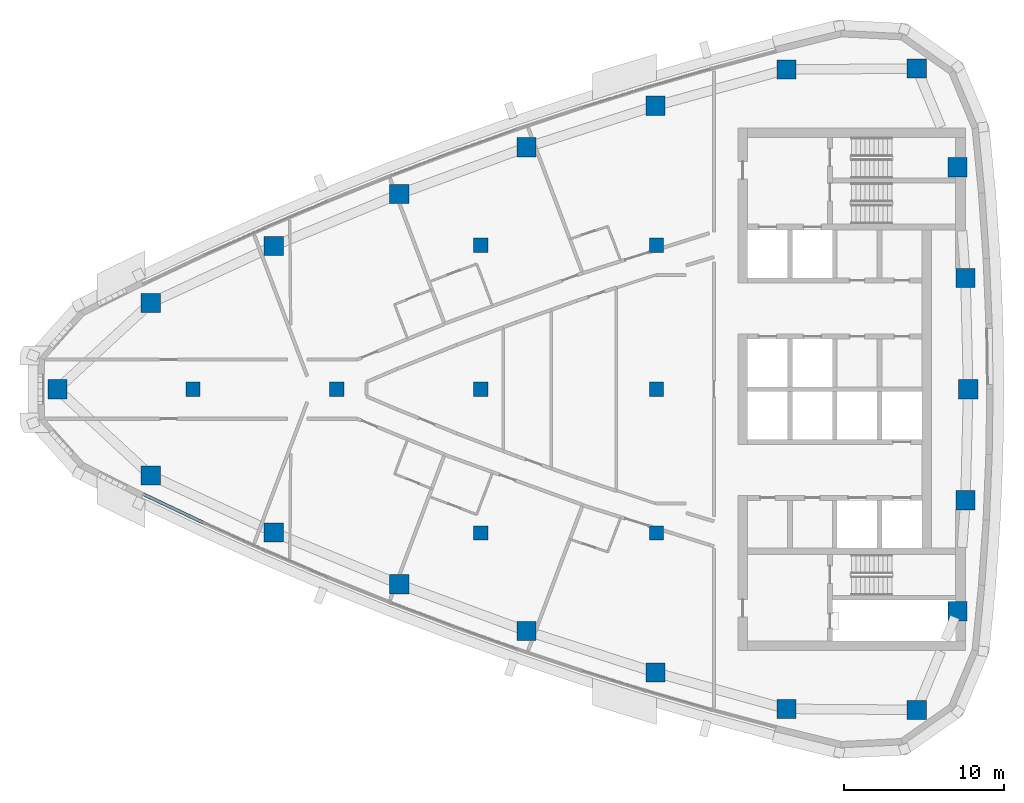
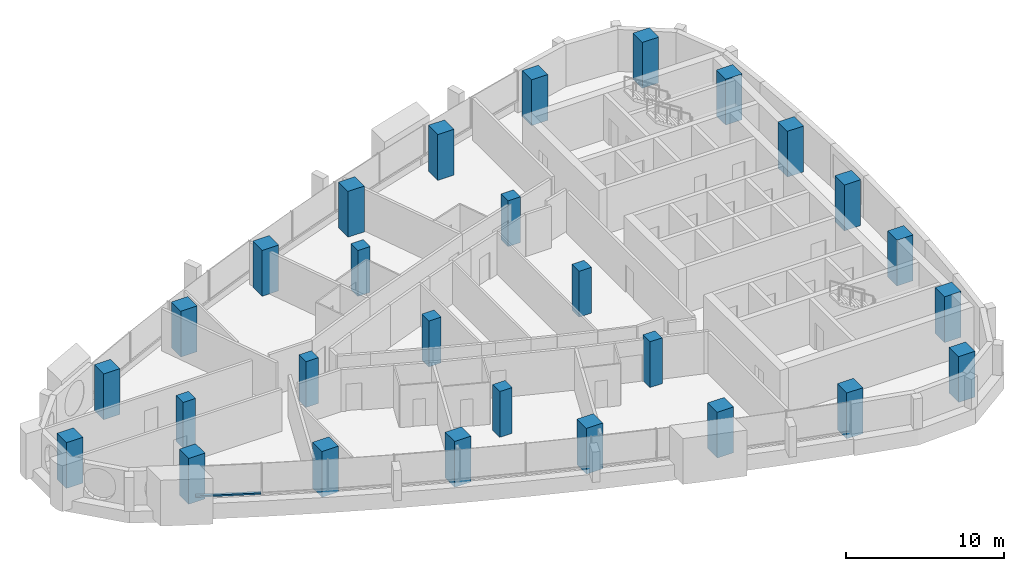
# One storey, part 1 of 15: 28 columns, 1 member, 1 element without a shape of its own.
"""IFC4 building model written with IfcOpenShell, lengths in metres."""

from ifc_helpers import new_model, si_unit, direction, frame, origin, origin_2d, place, context, subcontext, project, spatial, rectangle, extrude, material, layer, layer_set, material_profile, profile_set, type_object, element, aggregate, save


model = new_model("IFC4")

# Units and contexts
model_context = context("Model", 3, precision=1e-05, world=origin(), true_north=direction((0.0, 1.0)))
body_context = subcontext(model_context, "Body", "Model", "MODEL_VIEW")
ifc_project = project(units=[si_unit("LENGTHUNIT", "METRE"), si_unit("AREAUNIT", "SQUARE_METRE"), si_unit("VOLUMEUNIT", "CUBIC_METRE"), si_unit("PLANEANGLEUNIT", "RADIAN"), si_unit("MASSUNIT", "GRAM", prefix="KILO")], contexts=[model_context])

# Site, building, storey
site_placement = place(None, origin())
site = spatial("IfcSite", under=ifc_project, at=site_placement, CompositionType="ELEMENT")
building_placement = place(site_placement, origin())
building = spatial("IfcBuilding", under=site, at=building_placement, Name="Ostrand Prow Hotel Tower", CompositionType="ELEMENT")
storey_placement = place(building_placement, frame((0.0, 0.0, 242.10009765625)))
storey = spatial("IfcBuildingStorey", under=building, at=storey_placement, Name="L61", CompositionType="ELEMENT", Elevation=242.10009765625)

# Columns
ifc_material_1 = material(Name="Concrete C50/60", Category="concrete")
ifc_material_profile_1 = material_profile(ifc_material_1, rectangle(XDim=0.89990234375, YDim=0.89990234375, at=origin_2d()), Name="RC 900x900")
ifc_profile_set_1 = profile_set([ifc_material_profile_1], Name="Concrete C50/60")
column_type_1 = type_object("IfcColumnType", Name="Interior column 900x900 C50/60", PredefinedType="COLUMN", material=ifc_profile_set_1)
for number, where, z_axis, x_axis, name in (
    (1, (16.0, 0.0, 0.0), (0.0, 0.0, 1.0), (1.0, 0.0, 0.0), "Interior column 16C0"),
    (2, (25.0, 0.0, 0.0), (0.0, 0.0, 1.0), (1.0, 0.0, 0.0), "Interior column 25C0"),
    (3, (34.0, -9.0, 0.0), (0.0, 0.0, 1.0), (1.0, 0.0, 0.0), "Interior column 34S9"),
    (4, (34.0, 0.0, 0.0), (0.0, 0.0, 1.0), (1.0, 0.0, 0.0), "Interior column 34C0"),
    (5, (34.0, 9.0, 0.0), (0.0, 0.0, 1.0), (1.0, 0.0, 0.0), "Interior column 34N9"),
    (6, (45.0, -9.0, 0.0), (0.0, 0.0, 1.0), (1.0, 0.0, 0.0), "Interior column 45S9"),
    (7, (45.0, 0.0, 0.0), (0.0, 0.0, 1.0), (1.0, 0.0, 0.0), "Interior column 45C0"),
    (8, (45.0, 9.0, 0.0), (0.0, 0.0, 1.0), (1.0, 0.0, 0.0), "Interior column 45N9"),
):
    element("IfcColumn", number, at=place(storey_placement, frame(where, z_axis=z_axis, x_axis=x_axis)), inside=storey, type_object=column_type_1, Name=name, PredefinedType="COLUMN", context=body_context, shape_type="SweptSolid", body=[
        extrude(rectangle(XDim=0.89990234375, YDim=0.89990234375, at=origin_2d()), origin(), (0.0, 0.0, 1.0), 3.5498046875),
    ])
ifc_material_2 = material(Name="Concrete C50/60", Category="concrete")
ifc_material_profile_2 = material_profile(ifc_material_2, rectangle(XDim=1.199951171875, YDim=1.199951171875, at=origin_2d()), Name="RC 1200x1200")
ifc_profile_set_2 = profile_set([ifc_material_profile_2], Name="Concrete C50/60")
column_type_2 = type_object("IfcColumnType", Name="Stone-faced mega column 1200x1200 C50/60", PredefinedType="COLUMN", material=ifc_profile_set_2)
for number, where, z_axis, x_axis, name in (
    (9, (7.513916015625, 0.0, 0.0), (0.0, 0.0, 1.0), (1.0, 0.0, 0.0), "Mega column P"),
    (10, (13.356201171875, -5.392822265625, 0.0), (0.0, 0.0, 1.0), (1.0, 0.0, 0.0), "Mega column S1"),
    (11, (21.05859375, -8.95751953125, 0.0), (0.0, 0.0, 1.0), (1.0, 0.0, 0.0), "Mega column S2"),
    (12, (28.900146484375, -12.205322265625, 0.0), (0.0, 0.0, 1.0), (1.0, 0.0, 0.0), "Mega column S3"),
    (13, (36.8671875, -15.131591796875, 0.0), (0.0, 0.0, 1.0), (1.0, 0.0, 0.0), "Mega column S4"),
    (14, (44.94677734375, -17.731201171875, 0.0), (0.0, 0.0, 1.0), (1.0, 0.0, 0.0), "Mega column S5"),
    (15, (53.12548828125, -19.99951171875, 0.0), (0.0, 0.0, 1.0), (1.0, 0.0, 0.0), "Mega column S6"),
    (16, (61.283935546875, -20.06201171875, 0.0), (0.0, 0.0, 1.0), (1.0, 0.0, 0.0), "Mega column SE"),
    (17, (63.826416015625, -13.887939453125, 0.0), (0.0, 0.0, 1.0), (1.0, 0.0, 0.0), "Mega column B1"),
    (18, (64.33154296875, -6.9521484375, 0.0), (0.0, 0.0, 1.0), (1.0, 0.0, 0.0), "Mega column B2"),
    (19, (64.5, 0.0, 0.0), (0.0, 0.0, 1.0), (1.0, 0.0, 0.0), "Mega column B3"),
    (20, (64.33154296875, 6.9521484375, 0.0), (0.0, 0.0, 1.0), (1.0, 0.0, 0.0), "Mega column B4"),
    (21, (63.826416015625, 13.887939453125, 0.0), (0.0, 0.0, 1.0), (1.0, 0.0, 0.0), "Mega column B5"),
    (22, (61.283935546875, 20.06201171875, 0.0), (0.0, 0.0, 1.0), (1.0, 0.0, 0.0), "Mega column NE"),
    (23, (53.12548828125, 19.99951171875, 0.0), (0.0, 0.0, 1.0), (1.0, 0.0, 0.0), "Mega column N1"),
    (24, (44.94677734375, 17.731201171875, 0.0), (0.0, 0.0, 1.0), (1.0, 0.0, 0.0), "Mega column N2"),
    (25, (36.8671875, 15.131591796875, 0.0), (0.0, 0.0, 1.0), (1.0, 0.0, 0.0), "Mega column N3"),
    (26, (28.900146484375, 12.205322265625, 0.0), (0.0, 0.0, 1.0), (1.0, 0.0, 0.0), "Mega column N4"),
    (27, (21.05859375, 8.95751953125, 0.0), (0.0, 0.0, 1.0), (1.0, 0.0, 0.0), "Mega column N5"),
    (28, (13.356201171875, 5.392822265625, 0.0), (0.0, 0.0, 1.0), (1.0, 0.0, 0.0), "Mega column N6"),
):
    element("IfcColumn", number, at=place(storey_placement, frame(where, z_axis=z_axis, x_axis=x_axis)), inside=storey, type_object=column_type_2, Name=name, PredefinedType="COLUMN", context=body_context, shape_type="SweptSolid", body=[
        extrude(rectangle(XDim=1.199951171875, YDim=1.199951171875, at=origin_2d()), origin(), (0.0, 0.0, 1.0), 3.5498046875),
    ])

# Curtain wall, member
ifc_material_3 = material(Name="Insulated glass in bronze anodised frame", Category="glass")
ifc_layer = layer(ifc_material_3, 0.199951171875)
ifc_layer_set = layer_set([ifc_layer], Name="Insulated glass in bronze anodised frame")
curtain_wall_type = type_object("IfcCurtainWallType", Name="Strip curtain wall, fritted glass over bronze spandrel", PredefinedType="NOTDEFINED", material=ifc_layer_set)
curtain_wall_placement = place(storey_placement, origin())
curtain_wall = element("IfcCurtainWall", 29, at=curtain_wall_placement, inside=storey, type_object=curtain_wall_type, Name="CW1 run CWS1", PredefinedType="NOTDEFINED")
ifc_material_4 = material(Name="Bronze anodised aluminium", Category="aluminium")
ifc_material_profile_3 = material_profile(ifc_material_4, rectangle(XDim=0.199951171875, YDim=0.1201171875, at=origin_2d()), Name="Transom 120x200 bronze anodised aluminium")
ifc_profile_set_3 = profile_set([ifc_material_profile_3], Name="Bronze anodised aluminium")
member_type = type_object("IfcMemberType", Name="Transom 120x200 bronze anodised aluminium", PredefinedType="USERDEFINED", material=ifc_profile_set_3)
member_placement = place(storey_placement, frame((12.92041015625, -6.583740234375, 0.9599609375), z_axis=(0.903364977925, -0.428872611226, 0.0), x_axis=(0.428872611226, 0.903364977925, 0.0)))
member = element("IfcMember", 30, at=member_placement, type_object=member_type, Name="CW1 transom 1.1", ObjectType="TRANSOM", PredefinedType="USERDEFINED", context=body_context, shape_type="SweptSolid", body=[
    extrude(rectangle(XDim=0.199951171875, YDim=0.1201171875, at=origin_2d()), origin(), (0.0, 0.0, 1.0), 4.16357421875),
])
aggregate(curtain_wall, [member])

save(model, "model.ifc")
